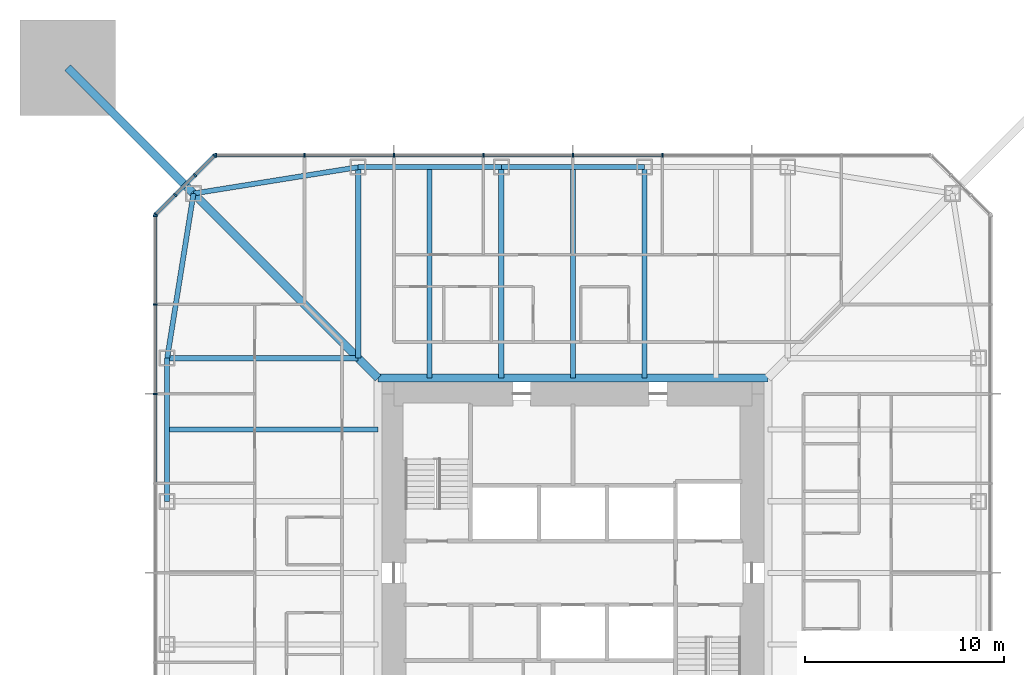
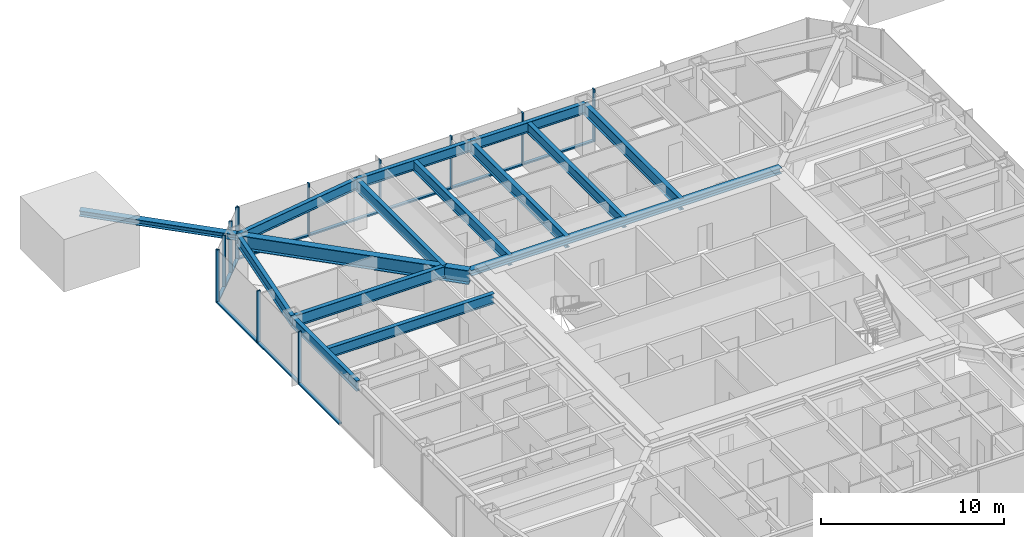
# One storey, part 6 of 25: 25 members, 14 beams, 3 elements without a shape of their own.
"""IFC4 building model written with IfcOpenShell, lengths in metres."""

from ifc_helpers import new_model, si_unit, direction, frame, origin, origin_2d, place, context, subcontext, project, spatial, rectangle, i_section, extrude, material, material_profile, profile_set, type_object, element, aggregate, save


model = new_model("IFC4")

# Units and contexts
model_context = context("Model", 3, precision=1e-05, world=origin(), true_north=direction((0.0, 1.0)))
body_context = subcontext(model_context, "Body", "Model", "MODEL_VIEW")
ifc_project = project(units=[si_unit("LENGTHUNIT", "METRE"), si_unit("AREAUNIT", "SQUARE_METRE"), si_unit("VOLUMEUNIT", "CUBIC_METRE"), si_unit("PLANEANGLEUNIT", "RADIAN"), si_unit("MASSUNIT", "GRAM", prefix="KILO")], contexts=[model_context])

# Site, building, storey
site_placement = place(None, origin())
site = spatial("IfcSite", under=ifc_project, at=site_placement, CompositionType="ELEMENT")
building_placement = place(site_placement, origin())
building = spatial("IfcBuilding", under=site, at=building_placement, Name="Iwan Alto Co-Living Towers", CompositionType="ELEMENT")
storey_placement = place(building_placement, frame((0.0, 0.0, 87.5)))
storey = spatial("IfcBuildingStorey", under=building, at=storey_placement, Name="L23", CompositionType="ELEMENT", Elevation=87.5)

# Curtain wall, members
ifc_material_1 = material(Name="Bronze aluminium unitised frame", Category="aluminium")
curtain_wall_type_1 = type_object("IfcCurtainWallType", Name="CURTAIN WALL CW-A", PredefinedType="NOTDEFINED", material=ifc_material_1)
curtain_wall_1_placement = place(storey_placement, origin())
curtain_wall_1 = element("IfcCurtainWall", 1, at=curtain_wall_1_placement, inside=storey, type_object=curtain_wall_type_1, Name="T1 curtain wall N L23", PredefinedType="NOTDEFINED")
ifc_material_2 = material(Name="Aluminium 6063-T6 bronze anodised", Category="aluminium")
ifc_material_profile_1 = material_profile(ifc_material_2, rectangle(XDim=0.199951171875, YDim=0.080078125, at=origin_2d()), Name="AL 80X200")
ifc_profile_set_1 = profile_set([ifc_material_profile_1], Name="Aluminium 6063-T6 bronze anodised")
member_type_1 = type_object("IfcMemberType", Name="CW-A MULLION 80X200", PredefinedType="MULLION", material=ifc_profile_set_1)
member_1_placement = place(storey_placement, frame((4.5, 21.0, 0.0), z_axis=(0.0, 0.0, 1.0), x_axis=(0.0, -1.0, 0.0)))
member_1 = element("IfcMember", 2, at=member_1_placement, type_object=member_type_1, Name="CW-A mullion 4", PredefinedType="MULLION", context=body_context, shape_type="SweptSolid", body=[
    extrude(rectangle(XDim=0.199951171875, YDim=0.080078125, at=origin_2d()), origin(), (0.0, 0.0, 1.0), 3.5),
])
member_2_placement = place(storey_placement, frame((0.0, 21.0, 0.0), z_axis=(0.0, 0.0, 1.0), x_axis=(0.0, -1.0, 0.0)))
member_2 = element("IfcMember", 3, at=member_2_placement, type_object=member_type_1, Name="CW-A mullion 5", PredefinedType="MULLION", context=body_context, shape_type="SweptSolid", body=[
    extrude(rectangle(XDim=0.199951171875, YDim=0.080078125, at=origin_2d()), origin(), (0.0, 0.0, 1.0), 3.5),
])
member_3_placement = place(storey_placement, frame((-4.5, 21.0, 0.0), z_axis=(0.0, 0.0, 1.0), x_axis=(0.0, -1.0, 0.0)))
member_3 = element("IfcMember", 4, at=member_3_placement, type_object=member_type_1, Name="CW-A mullion 6", PredefinedType="MULLION", context=body_context, shape_type="SweptSolid", body=[
    extrude(rectangle(XDim=0.199951171875, YDim=0.080078125, at=origin_2d()), origin(), (0.0, 0.0, 1.0), 3.5),
])
member_4_placement = place(storey_placement, frame((-9.0, 21.0, 0.0), z_axis=(0.0, 0.0, 1.0), x_axis=(0.0, -1.0, 0.0)))
member_4 = element("IfcMember", 5, at=member_4_placement, type_object=member_type_1, Name="CW-A mullion 7", PredefinedType="MULLION", context=body_context, shape_type="SweptSolid", body=[
    extrude(rectangle(XDim=0.199951171875, YDim=0.080078125, at=origin_2d()), origin(), (0.0, 0.0, 1.0), 3.5),
])
member_5_placement = place(storey_placement, frame((-13.5, 21.0, 0.0), z_axis=(0.0, 0.0, 1.0), x_axis=(0.0, -1.0, 0.0)))
member_5 = element("IfcMember", 6, at=member_5_placement, type_object=member_type_1, Name="CW-A mullion 8", PredefinedType="MULLION", context=body_context, shape_type="SweptSolid", body=[
    extrude(rectangle(XDim=0.199951171875, YDim=0.080078125, at=origin_2d()), origin(), (0.0, 0.0, 1.0), 3.5),
])
member_6_placement = place(storey_placement, frame((-17.9599609375, 21.0, 0.0), z_axis=(0.0, 0.0, 1.0), x_axis=(0.0, -1.0, 0.0)))
member_6 = element("IfcMember", 7, at=member_6_placement, type_object=member_type_1, Name="CW-A mullion 9", PredefinedType="MULLION", context=body_context, shape_type="SweptSolid", body=[
    extrude(rectangle(XDim=0.199951171875, YDim=0.080078125, at=origin_2d()), origin(), (0.0, 0.0, 1.0), 3.5),
])

curtain_wall_2_placement = place(storey_placement, origin())
curtain_wall_2 = element("IfcCurtainWall", 8, at=curtain_wall_2_placement, inside=storey, type_object=curtain_wall_type_1, Name="T1 curtain wall W L23", PredefinedType="NOTDEFINED")
member_7_placement = place(storey_placement, frame((-21.0, 17.9599609375, 0.0), z_axis=(0.0, 0.0, 1.0), x_axis=(1.0, 0.0, 0.0)))
member_7 = element("IfcMember", 9, at=member_7_placement, type_object=member_type_1, Name="CW-A mullion 1", PredefinedType="MULLION", context=body_context, shape_type="SweptSolid", body=[
    extrude(rectangle(XDim=0.199951171875, YDim=0.080078125, at=origin_2d()), origin(), (0.0, 0.0, 1.0), 3.5),
])
member_8_placement = place(storey_placement, frame((-21.0, 13.5, 0.0), z_axis=(0.0, 0.0, 1.0), x_axis=(1.0, 0.0, 0.0)))
member_8 = element("IfcMember", 10, at=member_8_placement, type_object=member_type_1, Name="CW-A mullion 2", PredefinedType="MULLION", context=body_context, shape_type="SweptSolid", body=[
    extrude(rectangle(XDim=0.199951171875, YDim=0.080078125, at=origin_2d()), origin(), (0.0, 0.0, 1.0), 3.5),
])
member_9_placement = place(storey_placement, frame((-21.0, 9.0, 0.0), z_axis=(0.0, 0.0, 1.0), x_axis=(1.0, 0.0, 0.0)))
member_9 = element("IfcMember", 11, at=member_9_placement, type_object=member_type_1, Name="CW-A mullion 3", PredefinedType="MULLION", context=body_context, shape_type="SweptSolid", body=[
    extrude(rectangle(XDim=0.199951171875, YDim=0.080078125, at=origin_2d()), origin(), (0.0, 0.0, 1.0), 3.5),
])

# Member
ifc_material_3 = material(Name="Aluminium 6063-T6 bronze anodised", Category="aluminium")
ifc_material_profile_2 = material_profile(ifc_material_3, rectangle(XDim=0.199951171875, YDim=0.10009765625, at=origin_2d()), Name="AL 200X100")
ifc_profile_set_2 = profile_set([ifc_material_profile_2], Name="Aluminium 6063-T6 bronze anodised")
member_type_2 = type_object("IfcMemberType", Name="CW-A TRANSOM 200X100", PredefinedType="USERDEFINED", material=ifc_profile_set_2)
member_10_placement = place(storey_placement, frame((4.4599609375, 21.0, 0.050048828125), z_axis=(-1.0, 0.0, 0.0), x_axis=(0.0, -1.0, 0.0)))
member_10 = element("IfcMember", 12, at=member_10_placement, type_object=member_type_2, Name="CW-A transom 4.1", ObjectType="TRANSOM", PredefinedType="USERDEFINED", context=body_context, shape_type="SweptSolid", body=[
    extrude(rectangle(XDim=0.199951171875, YDim=0.10009765625, at=origin_2d()), origin(), (0.0, 0.0, 1.0), 4.419921875),
])

member_11_placement = place(storey_placement, frame((-0.0400390625, 21.0, 0.050048828125), z_axis=(-1.0, 0.0, 0.0), x_axis=(0.0, -1.0, 0.0)))
member_11 = element("IfcMember", 13, at=member_11_placement, type_object=member_type_2, Name="CW-A transom 5.1", ObjectType="TRANSOM", PredefinedType="USERDEFINED", context=body_context, shape_type="SweptSolid", body=[
    extrude(rectangle(XDim=0.199951171875, YDim=0.10009765625, at=origin_2d()), origin(), (0.0, 0.0, 1.0), 4.419921875),
])

member_12_placement = place(storey_placement, frame((-4.5400390625, 21.0, 0.050048828125), z_axis=(-1.0, 0.0, 0.0), x_axis=(0.0, -1.0, 0.0)))
member_12 = element("IfcMember", 14, at=member_12_placement, type_object=member_type_2, Name="CW-A transom 6.1", ObjectType="TRANSOM", PredefinedType="USERDEFINED", context=body_context, shape_type="SweptSolid", body=[
    extrude(rectangle(XDim=0.199951171875, YDim=0.10009765625, at=origin_2d()), origin(), (0.0, 0.0, 1.0), 4.419921875),
])

member_13_placement = place(storey_placement, frame((-9.0400390625, 21.0, 0.050048828125), z_axis=(-1.0, 0.0, 0.0), x_axis=(0.0, -1.0, 0.0)))
member_13 = element("IfcMember", 15, at=member_13_placement, type_object=member_type_2, Name="CW-A transom 7.1", ObjectType="TRANSOM", PredefinedType="USERDEFINED", context=body_context, shape_type="SweptSolid", body=[
    extrude(rectangle(XDim=0.199951171875, YDim=0.10009765625, at=origin_2d()), origin(), (0.0, 0.0, 1.0), 4.419921875),
])

member_14_placement = place(storey_placement, frame((-13.5400390625, 21.0, 0.050048828125), z_axis=(-1.0, 0.0, 0.0), x_axis=(0.0, -1.0, 0.0)))
member_14 = element("IfcMember", 16, at=member_14_placement, type_object=member_type_2, Name="CW-A transom 8.1", ObjectType="TRANSOM", PredefinedType="USERDEFINED", context=body_context, shape_type="SweptSolid", body=[
    extrude(rectangle(XDim=0.199951171875, YDim=0.10009765625, at=origin_2d()), origin(), (0.0, 0.0, 1.0), 4.3798828125),
])

aggregate(curtain_wall_1, [member_1, member_2, member_3, member_4, member_5, member_6, member_10, member_11, member_12, member_13, member_14])

member_15_placement = place(storey_placement, frame((-21.0, 17.919921875, 0.050048828125), z_axis=(0.0, -1.0, 0.0), x_axis=(1.0, 0.0, 0.0)))
member_15 = element("IfcMember", 17, at=member_15_placement, type_object=member_type_2, Name="CW-A transom 1.1", ObjectType="TRANSOM", PredefinedType="USERDEFINED", context=body_context, shape_type="SweptSolid", body=[
    extrude(rectangle(XDim=0.199951171875, YDim=0.10009765625, at=origin_2d()), origin(), (0.0, 0.0, 1.0), 4.3798828125),
])

member_16_placement = place(storey_placement, frame((-21.0, 13.4599609375, 0.050048828125), z_axis=(0.0, -1.0, 0.0), x_axis=(1.0, 0.0, 0.0)))
member_16 = element("IfcMember", 18, at=member_16_placement, type_object=member_type_2, Name="CW-A transom 2.1", ObjectType="TRANSOM", PredefinedType="USERDEFINED", context=body_context, shape_type="SweptSolid", body=[
    extrude(rectangle(XDim=0.199951171875, YDim=0.10009765625, at=origin_2d()), origin(), (0.0, 0.0, 1.0), 4.419921875),
])

member_17_placement = place(storey_placement, frame((-21.0, 8.9599609375, 0.050048828125), z_axis=(0.0, -1.0, 0.0), x_axis=(1.0, 0.0, 0.0)))
member_17 = element("IfcMember", 19, at=member_17_placement, type_object=member_type_2, Name="CW-A transom 3.1", ObjectType="TRANSOM", PredefinedType="USERDEFINED", context=body_context, shape_type="SweptSolid", body=[
    extrude(rectangle(XDim=0.199951171875, YDim=0.10009765625, at=origin_2d()), origin(), (0.0, 0.0, 1.0), 4.419921875),
])

aggregate(curtain_wall_2, [member_7, member_8, member_9, member_15, member_16, member_17])

# Curtain wall, members
ifc_material_4 = material(Name="Bronze aluminium unitised frame", Category="aluminium")
curtain_wall_type_2 = type_object("IfcCurtainWallType", Name="CURTAIN WALL CW-B", PredefinedType="NOTDEFINED", material=ifc_material_4)
curtain_wall_3_placement = place(storey_placement, origin())
curtain_wall_3 = element("IfcCurtainWall", 20, at=curtain_wall_3_placement, inside=storey, type_object=curtain_wall_type_2, Name="T1 chamfer curtain wall NW L23", PredefinedType="NOTDEFINED")
ifc_material_5 = material(Name="Aluminium 6063-T6 bronze anodised", Category="aluminium")
ifc_material_profile_3 = material_profile(ifc_material_5, rectangle(XDim=0.199951171875, YDim=0.080078125, at=origin_2d()), Name="AL 80X200")
ifc_profile_set_3 = profile_set([ifc_material_profile_3], Name="Aluminium 6063-T6 bronze anodised")
member_type_3 = type_object("IfcMemberType", Name="CW-B MULLION 80X200", PredefinedType="MULLION", material=ifc_profile_set_3)
member_18_placement = place(storey_placement, frame((-18.0283203125, 20.9716796875, 0.0), z_axis=(0.0, 0.0, 1.0), x_axis=(0.707106781187, -0.707106781187, 0.0)))
member_18 = element("IfcMember", 21, at=member_18_placement, type_object=member_type_3, Name="CW-B mullion 1", PredefinedType="MULLION", context=body_context, shape_type="SweptSolid", body=[
    extrude(rectangle(XDim=0.199951171875, YDim=0.080078125, at=origin_2d()), origin(), (0.0, 0.0, 1.0), 3.5),
])
member_19_placement = place(storey_placement, frame((-19.0, 20.0, 0.0), z_axis=(0.0, 0.0, 1.0), x_axis=(0.707106781187, -0.707106781187, 0.0)))
member_19 = element("IfcMember", 22, at=member_19_placement, type_object=member_type_3, Name="CW-B mullion 2", PredefinedType="MULLION", context=body_context, shape_type="SweptSolid", body=[
    extrude(rectangle(XDim=0.199951171875, YDim=0.080078125, at=origin_2d()), origin(), (0.0, 0.0, 1.0), 3.5),
])
member_20_placement = place(storey_placement, frame((-20.0, 19.0, 0.0), z_axis=(0.0, 0.0, 1.0), x_axis=(0.707106781187, -0.707106781187, 0.0)))
member_20 = element("IfcMember", 23, at=member_20_placement, type_object=member_type_3, Name="CW-B mullion 3", PredefinedType="MULLION", context=body_context, shape_type="SweptSolid", body=[
    extrude(rectangle(XDim=0.199951171875, YDim=0.080078125, at=origin_2d()), origin(), (0.0, 0.0, 1.0), 3.5),
])
member_21_placement = place(storey_placement, frame((-20.9716796875, 18.0283203125, 0.0), z_axis=(0.0, 0.0, 1.0), x_axis=(0.707106781187, -0.707106781187, 0.0)))
member_21 = element("IfcMember", 24, at=member_21_placement, type_object=member_type_3, Name="CW-B mullion 4", PredefinedType="MULLION", context=body_context, shape_type="SweptSolid", body=[
    extrude(rectangle(XDim=0.199951171875, YDim=0.080078125, at=origin_2d()), origin(), (0.0, 0.0, 1.0), 3.5),
])
ifc_material_6 = material(Name="Aluminium 6063-T6 bronze anodised", Category="aluminium")
ifc_material_profile_4 = material_profile(ifc_material_6, rectangle(XDim=0.199951171875, YDim=0.10009765625, at=origin_2d()), Name="AL 200X100")
ifc_profile_set_4 = profile_set([ifc_material_profile_4], Name="Aluminium 6063-T6 bronze anodised")
member_type_4 = type_object("IfcMemberType", Name="CW-B TRANSOM 200X100", PredefinedType="USERDEFINED", material=ifc_profile_set_4)
member_22_placement = place(storey_placement, frame((-18.056640625, 20.943359375, 0.050048828125), z_axis=(-0.707106781187, -0.707106781187, 0.0), x_axis=(0.707106781187, -0.707106781187, 0.0)))
member_22 = element("IfcMember", 25, at=member_22_placement, type_object=member_type_4, Name="CW-B transom 1.1", ObjectType="TRANSOM", PredefinedType="USERDEFINED", context=body_context, shape_type="SweptSolid", body=[
    extrude(rectangle(XDim=0.199951171875, YDim=0.10009765625, at=origin_2d()), origin(), (0.0, 0.0, 1.0), 1.2939453125),
])
member_23_placement = place(storey_placement, frame((-19.0283203125, 19.9716796875, 0.050048828125), z_axis=(-0.707106781187, -0.707106781187, 0.0), x_axis=(0.707106781187, -0.707106781187, 0.0)))
member_23 = element("IfcMember", 26, at=member_23_placement, type_object=member_type_4, Name="CW-B transom 2.1", ObjectType="TRANSOM", PredefinedType="USERDEFINED", context=body_context, shape_type="SweptSolid", body=[
    extrude(rectangle(XDim=0.199951171875, YDim=0.10009765625, at=origin_2d()), origin(), (0.0, 0.0, 1.0), 1.334228515625),
])
member_24_placement = place(storey_placement, frame((-20.0283203125, 18.9716796875, 0.050048828125), z_axis=(-0.707106781187, -0.707106781187, 0.0), x_axis=(0.707106781187, -0.707106781187, 0.0)))
member_24 = element("IfcMember", 27, at=member_24_placement, type_object=member_type_4, Name="CW-B transom 3.1", ObjectType="TRANSOM", PredefinedType="USERDEFINED", context=body_context, shape_type="SweptSolid", body=[
    extrude(rectangle(XDim=0.199951171875, YDim=0.10009765625, at=origin_2d()), origin(), (0.0, 0.0, 1.0), 1.2939453125),
])
aggregate(curtain_wall_3, [member_18, member_19, member_20, member_21, member_22, member_23, member_24])

# Beams
ifc_material_7 = material(Name="Steel ASTM A992 Gr 50", Category="steel")
ifc_material_profile_5 = material_profile(ifc_material_7, i_section(OverallWidth=0.398681640625, OverallDepth=0.385986328125, WebThickness=0.02099609375, FlangeThickness=0.033203125, at=origin_2d()), Name="W14X176")
ifc_profile_set_5 = profile_set([ifc_material_profile_5], Name="Steel ASTM A992 Gr 50")
beam_type_1 = type_object("IfcBeamType", Name="T1 CORE LEDGER BEAM W14X176", PredefinedType="BEAM", material=ifc_profile_set_5)
beam_1_placement = place(storey_placement, frame((9.79931640625, 9.79931640625, 3.076904296875), z_axis=(-1.0, 0.0, 0.0), x_axis=(0.0, -1.0, 0.0)))
element("IfcBeam", 28, at=beam_1_placement, inside=storey, type_object=beam_type_1, Name="T1 core ledger beam N L24", PredefinedType="BEAM", context=body_context, shape_type="SweptSolid", body=[
    extrude(i_section(OverallWidth=0.398681640625, OverallDepth=0.385986328125, WebThickness=0.02099609375, FlangeThickness=0.033203125, at=origin_2d()), origin(), (0.0, 0.0, 1.0), 19.5986328125),
])
ifc_material_8 = material(Name="Steel ASTM A992 Gr 50", Category="steel")
ifc_material_profile_6 = material_profile(ifc_material_8, i_section(OverallWidth=0.419189453125, OverallDepth=0.927001953125, WebThickness=0.019287109375, FlangeThickness=0.031982421875, at=origin_2d()), Name="W36X231")
ifc_profile_set_6 = profile_set([ifc_material_profile_6], Name="Steel ASTM A992 Gr 50")
beam_type_2 = type_object("IfcBeamType", Name="T1 CORNER GIRDER W36X231", PredefinedType="BEAM", material=ifc_profile_set_6)
beam_2_placement = place(storey_placement, frame((-19.07568359375, 19.07568359375, 2.806396484375), z_axis=(0.707106781187, -0.707106781187, 0.0), x_axis=(0.707106781187, 0.707106781187, 0.0)))
element("IfcBeam", 29, at=beam_2_placement, inside=storey, type_object=beam_type_2, Name="T1 corner girder CNW L24", PredefinedType="BEAM", context=body_context, shape_type="SweptSolid", body=[
    extrude(i_section(OverallWidth=0.419189453125, OverallDepth=0.927001953125, WebThickness=0.019287109375, FlangeThickness=0.031982421875, at=origin_2d()), origin(), (0.0, 0.0, 1.0), 13.11865234375),
])
ifc_material_9 = material(Name="Steel ASTM A992 Gr 50", Category="steel")
ifc_material_profile_7 = material_profile(ifc_material_9, i_section(OverallWidth=0.25390625, OverallDepth=0.683349609375, WebThickness=0.012451171875, FlangeThickness=0.018798828125, at=origin_2d()), Name="W27X94")
ifc_profile_set_7 = profile_set([ifc_material_profile_7], Name="Steel ASTM A992 Gr 50")
beam_type_3 = type_object("IfcBeamType", Name="T1 EDGE BEAM W27X94", PredefinedType="BEAM", material=ifc_profile_set_7)
beam_3_placement = place(storey_placement, frame((3.60009765625, 20.39990234375, 2.928466796875), z_axis=(-1.0, 0.0, 0.0), x_axis=(0.0, -1.0, 0.0)))
element("IfcBeam", 30, at=beam_3_placement, inside=storey, type_object=beam_type_3, Name="T1 edge beam N2 L24", PredefinedType="BEAM", context=body_context, shape_type="SweptSolid", body=[
    extrude(i_section(OverallWidth=0.25390625, OverallDepth=0.683349609375, WebThickness=0.012451171875, FlangeThickness=0.018798828125, at=origin_2d()), origin(), (0.0, 0.0, 1.0), 7.2001953125),
])
beam_4_placement = place(storey_placement, frame((-3.60009765625, 20.39990234375, 2.928466796875), z_axis=(-1.0, 0.0, 0.0), x_axis=(0.0, -1.0, 0.0)))
element("IfcBeam", 31, at=beam_4_placement, inside=storey, type_object=beam_type_3, Name="T1 edge beam N3 L24", PredefinedType="BEAM", context=body_context, shape_type="SweptSolid", body=[
    extrude(i_section(OverallWidth=0.25390625, OverallDepth=0.683349609375, WebThickness=0.012451171875, FlangeThickness=0.018798828125, at=origin_2d()), origin(), (0.0, 0.0, 1.0), 7.199951171875),
])
for number, where, z_axis, x_axis, name in (
    (32, (-10.800048828125, 20.39990234375, 2.928466796875), (-0.987438450439, -0.158004134737, 0.0), (0.158004134737, -0.987438450439, 0.0), "T1 edge beam N4 L24"),
    (33, (-19.07568359375, 19.07568359375, 2.928466796875), (-0.158004134737, -0.987438450439, 0.0), (0.987438450439, -0.158004134737, 0.0), "T1 edge beam CNW L24"),
):
    element("IfcBeam", number, at=place(storey_placement, frame(where, z_axis=z_axis, x_axis=x_axis)), inside=storey, type_object=beam_type_3, Name=name, PredefinedType="BEAM", context=body_context, shape_type="SweptSolid", body=[
        extrude(i_section(OverallWidth=0.25390625, OverallDepth=0.683349609375, WebThickness=0.012451171875, FlangeThickness=0.018798828125, at=origin_2d()), origin(), (0.0, 0.0, 1.0), 8.380859375),
    ])
beam_5_placement = place(storey_placement, frame((-20.39990234375, 10.800048828125, 2.928466796875), z_axis=(0.0, -1.0, 0.0), x_axis=(1.0, 0.0, 0.0)))
element("IfcBeam", 34, at=beam_5_placement, inside=storey, type_object=beam_type_3, Name="T1 edge beam W1 L24", PredefinedType="BEAM", context=body_context, shape_type="SweptSolid", body=[
    extrude(i_section(OverallWidth=0.25390625, OverallDepth=0.683349609375, WebThickness=0.012451171875, FlangeThickness=0.018798828125, at=origin_2d()), origin(), (0.0, 0.0, 1.0), 7.199951171875),
])

# Member
ifc_material_10 = material(Name="Steel ASTM A992 Gr 50", Category="steel")
ifc_material_profile_8 = material_profile(ifc_material_10, i_section(OverallWidth=0.393798828125, OverallDepth=0.3759765625, WebThickness=0.017333984375, FlangeThickness=0.027587890625, at=origin_2d()), Name="W14X145")
ifc_profile_set_8 = profile_set([ifc_material_profile_8], Name="Steel ASTM A992 Gr 50")
member_type_5 = type_object("IfcMemberType", Name="T1 MEGA COLUMN FLOOR TIE W14X145", PredefinedType="STRUT", material=ifc_profile_set_8)
member_25_placement = place(storey_placement, frame((-25.39990234375, 25.39990234375, 3.08203125), z_axis=(0.707106781187, -0.707106781187, 0.0), x_axis=(0.707106781187, 0.707106781187, 0.0)))
element("IfcMember", 35, at=member_25_placement, inside=storey, type_object=member_type_5, Name="T1 mega column floor tie NW L24", PredefinedType="STRUT", context=body_context, shape_type="SweptSolid", body=[
    extrude(i_section(OverallWidth=0.393798828125, OverallDepth=0.3759765625, WebThickness=0.017333984375, FlangeThickness=0.027587890625, at=origin_2d()), origin(), (0.0, 0.0, 1.0), 8.94384765625),
])

# Beams
ifc_material_11 = material(Name="Steel ASTM A992 Gr 50", Category="steel")
ifc_material_profile_9 = material_profile(ifc_material_11, i_section(OverallWidth=0.2666015625, OverallDepth=0.761962890625, WebThickness=0.014404296875, FlangeThickness=0.021484375, at=origin_2d()), Name="W30X116")
ifc_profile_set_9 = profile_set([ifc_material_profile_9], Name="Steel ASTM A992 Gr 50")
beam_type_4 = type_object("IfcBeamType", Name="T1 RADIAL BEAM W30X116", PredefinedType="BEAM", material=ifc_profile_set_9)
for number, where, z_axis, x_axis, name in (
    (36, (3.60009765625, 20.39990234375, 2.888916015625), (0.0, -1.0, 0.0), (1.0, 0.0, 0.0), "T1 radial beam N2 L24"),
    (37, (-3.60009765625, 20.39990234375, 2.888916015625), (0.0, -1.0, 0.0), (1.0, 0.0, 0.0), "T1 radial beam N3 L24"),
):
    element("IfcBeam", number, at=place(storey_placement, frame(where, z_axis=z_axis, x_axis=x_axis)), inside=storey, type_object=beam_type_4, Name=name, PredefinedType="BEAM", context=body_context, shape_type="SweptSolid", body=[
        extrude(i_section(OverallWidth=0.2666015625, OverallDepth=0.761962890625, WebThickness=0.014404296875, FlangeThickness=0.021484375, at=origin_2d()), origin(), (0.0, 0.0, 1.0), 10.6005859375),
    ])
for number, where, z_axis, x_axis, name in (
    (38, (-10.800048828125, 20.39990234375, 2.888916015625), (0.0, -1.0, 0.0), (1.0, 0.0, 0.0), "T1 radial beam N4 L24"),
    (39, (-20.39990234375, 10.800048828125, 2.888916015625), (1.0, 0.0, 0.0), (0.0, 1.0, 0.0), "T1 radial beam W1 L24"),
):
    element("IfcBeam", number, at=place(storey_placement, frame(where, z_axis=z_axis, x_axis=x_axis)), inside=storey, type_object=beam_type_4, Name=name, PredefinedType="BEAM", context=body_context, shape_type="SweptSolid", body=[
        extrude(i_section(OverallWidth=0.2666015625, OverallDepth=0.761962890625, WebThickness=0.014404296875, FlangeThickness=0.021484375, at=origin_2d()), origin(), (0.0, 0.0, 1.0), 9.599853515625),
    ])
ifc_material_12 = material(Name="Steel ASTM A992 Gr 50", Category="steel")
ifc_material_profile_10 = material_profile(ifc_material_12, i_section(OverallWidth=0.25390625, OverallDepth=0.683349609375, WebThickness=0.012451171875, FlangeThickness=0.018798828125, at=origin_2d()), Name="W27X94")
ifc_profile_set_10 = profile_set([ifc_material_profile_10], Name="Steel ASTM A992 Gr 50")
beam_type_5 = type_object("IfcBeamType", Name="T1 SECONDARY BEAM W27X94", PredefinedType="JOIST", material=ifc_profile_set_10)
for number, where, z_axis, x_axis, name in (
    (40, (0.0, 20.39990234375, 2.928466796875), (0.0, -1.0, 0.0), (1.0, 0.0, 0.0), "T1 secondary beam N2 L24"),
    (41, (-7.199951171875, 20.39990234375, 2.928466796875), (0.0, -1.0, 0.0), (1.0, 0.0, 0.0), "T1 secondary beam N3 L24"),
    (42, (-20.39990234375, 7.199951171875, 2.928466796875), (1.0, 0.0, 0.0), (0.0, 1.0, 0.0), "T1 secondary beam W1 L24"),
):
    element("IfcBeam", number, at=place(storey_placement, frame(where, z_axis=z_axis, x_axis=x_axis)), inside=storey, type_object=beam_type_5, Name=name, PredefinedType="JOIST", context=body_context, shape_type="SweptSolid", body=[
        extrude(i_section(OverallWidth=0.25390625, OverallDepth=0.683349609375, WebThickness=0.012451171875, FlangeThickness=0.018798828125, at=origin_2d()), origin(), (0.0, 0.0, 1.0), 10.6005859375),
    ])

save(model, "model.ifc")
